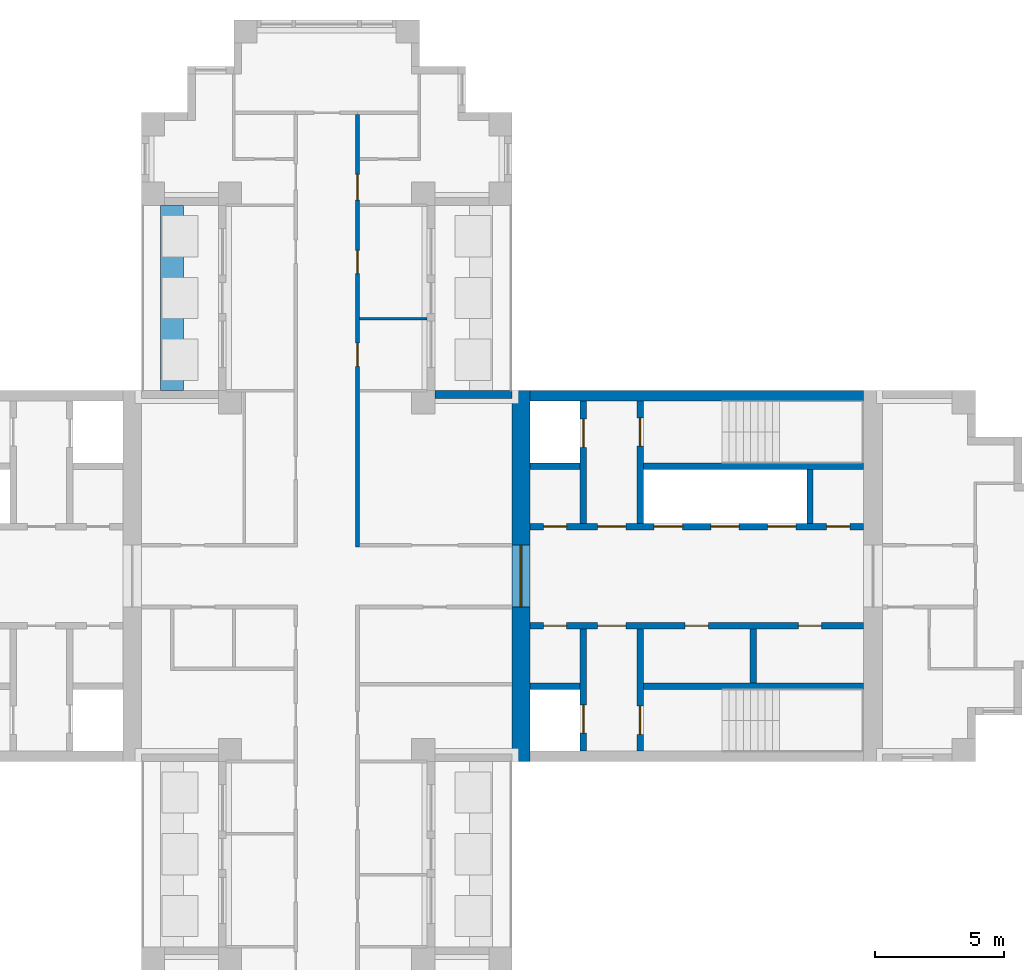
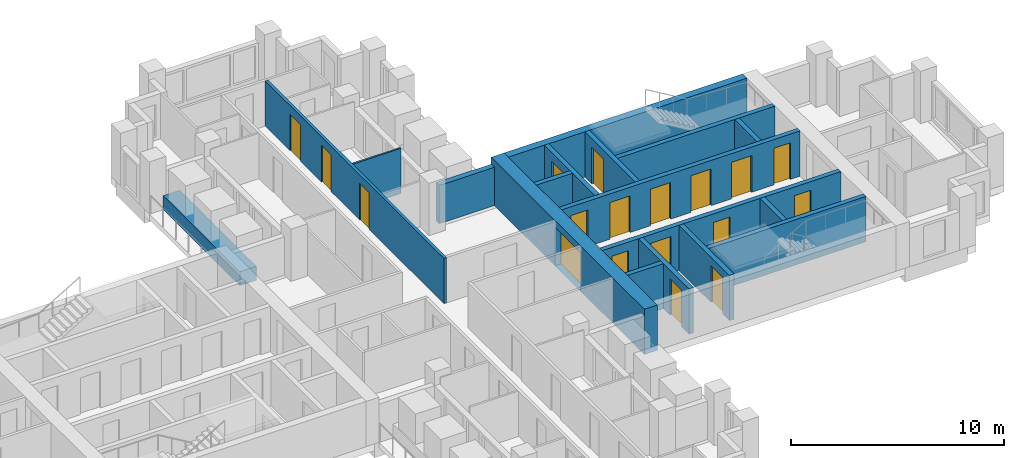
# One storey, part 6 of 11: 18 doors, 18 walls, 18 openings.
"""IFC4 building model written with IfcOpenShell, lengths in metres."""

from ifc_helpers import new_model, si_unit, direction, frame, frame_2d, origin, place, context, subcontext, project, spatial, rectangle, extrude, material, layer, layer_set, type_object, element, fill, save


model = new_model("IFC4")

# Units and contexts
model_context = context("Model", 3, precision=1e-05, world=origin(), true_north=direction((0.0, 1.0)))
body_context = subcontext(model_context, "Body", "Model", "MODEL_VIEW")
ifc_project = project(units=[si_unit("LENGTHUNIT", "METRE"), si_unit("AREAUNIT", "SQUARE_METRE"), si_unit("VOLUMEUNIT", "CUBIC_METRE"), si_unit("PLANEANGLEUNIT", "RADIAN"), si_unit("MASSUNIT", "GRAM", prefix="KILO")], contexts=[model_context])

# Site, building, storey
site_placement = place(None, origin())
site = spatial("IfcSite", under=ifc_project, at=site_placement, CompositionType="ELEMENT")
building_placement = place(site_placement, origin())
building = spatial("IfcBuilding", under=site, at=building_placement, Name="Fustian Cross Tower", CompositionType="ELEMENT")
storey_placement = place(building_placement, frame((0.0, 0.0, 176.699951171875)))
storey = spatial("IfcBuildingStorey", under=building, at=storey_placement, Name="L55", CompositionType="ELEMENT", Elevation=176.699951171875)

# Wall, openings, doors
ifc_material_1 = material(Name="Plasterboard on steel stud", Category="steel")
ifc_layer_1 = layer(ifc_material_1, 0.14990234375)
ifc_layer_set_1 = layer_set([ifc_layer_1], Name="Plasterboard on steel stud")
wall_type_1 = type_object("IfcWallType", Name="COMPARTMENT WALL 150 EI 60", PredefinedType="PARTITIONING", material=ifc_layer_set_1)
wall_1_placement = place(storey_placement, frame((1.199951171875, 1.125, 0.0), z_axis=(0.0, 0.0, 1.0), x_axis=(0.0, 1.0, 0.0)))
wall_1 = element("IfcWall", 1, at=wall_1_placement, inside=storey, type_object=wall_type_1, Name="Partition 41", PredefinedType="PARTITIONING", context=body_context, shape_type="SweptSolid", body=[
    extrude(rectangle(XDim=16.800048828125, YDim=0.14990234375, at=frame_2d((8.39990234375, 0.0))), origin(), (0.0, 0.0, 1.0), 2.60009765625),
])
opening_1_placement = place(wall_1_placement, frame((7.02490234375, 0.0, 0.0)))
opening_1 = element("IfcOpeningElement", 2, at=opening_1_placement, cuts=wall_1, Name="Opening D25017", PredefinedType="OPENING", context=body_context, shape_type="SweptSolid", body=[
    extrude(rectangle(XDim=0.89990234375, YDim=2.10009765625, at=frame_2d((0.449951171875, 1.050048828125))), frame((0.0, 0.0849609375, 0.0), z_axis=(0.0, -1.0, 0.0), x_axis=(1.0, 0.0, 0.0)), (0.0, 0.0, 1.0), 0.169921875),
])
opening_2_placement = place(wall_1_placement, frame((10.625, 0.0, 0.0)))
opening_2 = element("IfcOpeningElement", 3, at=opening_2_placement, cuts=wall_1, Name="Opening D25018", PredefinedType="OPENING", context=body_context, shape_type="SweptSolid", body=[
    extrude(rectangle(XDim=0.89990234375, YDim=2.10009765625, at=frame_2d((0.449951171875, 1.050048828125))), frame((0.0, 0.0849609375, 0.0), z_axis=(0.0, -1.0, 0.0), x_axis=(1.0, 0.0, 0.0)), (0.0, 0.0, 1.0), 0.169921875),
])
opening_3_placement = place(wall_1_placement, frame((13.47509765625, 0.0, 0.0)))
opening_3 = element("IfcOpeningElement", 4, at=opening_3_placement, cuts=wall_1, Name="Opening D25020", PredefinedType="OPENING", context=body_context, shape_type="SweptSolid", body=[
    extrude(rectangle(XDim=1.0, YDim=2.10009765625, at=frame_2d((0.5, 1.050048828125))), frame((0.0, 0.0849609375, 0.0), z_axis=(0.0, -1.0, 0.0), x_axis=(1.0, 0.0, 0.0)), (0.0, 0.0, 1.0), 0.169921875),
])
ifc_material_2 = material(Name="Timber fire door set", Category="wood")
door_type_1 = type_object("IfcDoorType", Name="FIRE SWING DOOR 1000 FD30S", OperationType="SINGLE_SWING_LEFT", PredefinedType="DOOR", material=ifc_material_2)
door_1_placement = place(opening_3_placement, frame((1.0, 0.0, 0.0), z_axis=(0.0, 0.0, 1.0), x_axis=(-1.0, 0.0, 0.0)))
door_1 = element("IfcDoor", 5, at=door_1_placement, inside=storey, type_object=door_type_1, Name="Door D25020", OperationType="SINGLE_SWING_RIGHT", OverallHeight=2.10009765625, OverallWidth=1.0, PredefinedType="DOOR", context=body_context, shape_type="SweptSolid", body=[
    extrude(rectangle(XDim=1.0, YDim=2.10009765625, at=frame_2d((0.5, 1.050048828125))), frame((0.0, 0.02490234375, 0.0), z_axis=(0.0, -1.0, 0.0), x_axis=(1.0, 0.0, 0.0)), (0.0, 0.0, 1.0), 0.050048828125),
])
fill(opening_3, door_1)
ifc_material_3 = material(Name="Timber fire door set", Category="wood")
door_type_2 = type_object("IfcDoorType", Name="FIRE SWING DOOR 900 FD30S", OperationType="SINGLE_SWING_LEFT", PredefinedType="DOOR", material=ifc_material_3)
door_2_placement = place(opening_1_placement, frame((0.89990234375, 0.0, 0.0), z_axis=(0.0, 0.0, 1.0), x_axis=(-1.0, 0.0, 0.0)))
door_2 = element("IfcDoor", 6, at=door_2_placement, inside=storey, type_object=door_type_2, Name="Door D25017", OperationType="SINGLE_SWING_RIGHT", OverallHeight=2.10009765625, OverallWidth=0.89990234375, PredefinedType="DOOR", context=body_context, shape_type="SweptSolid", body=[
    extrude(rectangle(XDim=0.89990234375, YDim=2.10009765625, at=frame_2d((0.449951171875, 1.050048828125))), frame((0.0, 0.02490234375, 0.0), z_axis=(0.0, -1.0, 0.0), x_axis=(1.0, 0.0, 0.0)), (0.0, 0.0, 1.0), 0.050048828125),
])
fill(opening_1, door_2)
door_3_placement = place(opening_2_placement, frame((0.89990234375, 0.0, 0.0), z_axis=(0.0, 0.0, 1.0), x_axis=(-1.0, 0.0, 0.0)))
door_3 = element("IfcDoor", 7, at=door_3_placement, inside=storey, type_object=door_type_2, Name="Door D25018", OperationType="SINGLE_SWING_RIGHT", OverallHeight=2.10009765625, OverallWidth=0.89990234375, PredefinedType="DOOR", context=body_context, shape_type="SweptSolid", body=[
    extrude(rectangle(XDim=0.89990234375, YDim=2.10009765625, at=frame_2d((0.449951171875, 1.050048828125))), frame((0.0, 0.02490234375, 0.0), z_axis=(0.0, -1.0, 0.0), x_axis=(1.0, 0.0, 0.0)), (0.0, 0.0, 1.0), 0.050048828125),
])
fill(opening_2, door_3)

# Wall, opening, door
ifc_material_4 = material(Name="Concrete C50/60", Category="concrete")
ifc_layer_2 = layer(ifc_material_4, 0.699951171875)
ifc_layer_set_2 = layer_set([ifc_layer_2], Name="Concrete C50/60")
wall_type_2 = type_object("IfcWallType", Name="CORE END WALL 700 C50/60", PredefinedType="SHEAR", material=ifc_layer_set_2)
wall_2_placement = place(storey_placement, frame((7.550048828125, -7.199951171875, 0.0), z_axis=(0.0, 0.0, 1.0), x_axis=(0.0, 1.0, 0.0)))
wall_2 = element("IfcWall", 8, at=wall_2_placement, inside=storey, type_object=wall_type_2, Name="Core end wall", PredefinedType="SHEAR", context=body_context, shape_type="SweptSolid", body=[
    extrude(rectangle(XDim=14.39990234375, YDim=0.699951171875, at=frame_2d((7.199951171875, 0.0))), origin(), (0.0, 0.0, 1.0), 2.60009765625),
])
opening_4_placement = place(wall_2_placement, frame((6.0, 0.0, 0.0)))
opening_4 = element("IfcOpeningElement", 9, at=opening_4_placement, cuts=wall_2, Name="Opening CD-22-12", PredefinedType="OPENING", context=body_context, shape_type="SweptSolid", body=[
    extrude(rectangle(XDim=2.39990234375, YDim=2.199951171875, at=frame_2d((1.199951171875, 1.10009765625))), frame((0.0, 0.35986328125, 0.0), z_axis=(0.0, -1.0, 0.0), x_axis=(1.0, 0.0, 0.0)), (0.0, 0.0, 1.0), 0.719970703125),
])
ifc_material_5 = material(Name="Steel", Category="steel")
door_type_3 = type_object("IfcDoorType", Name="FIRE DOOR FD30S DOUBLE 2400X2200", OperationType="DOUBLE_DOOR_DOUBLE_SWING", PredefinedType="DOOR", material=ifc_material_5)
door_4_placement = place(opening_4_placement, frame((2.39990234375, 0.0, 0.0), z_axis=(0.0, 0.0, 1.0), x_axis=(-1.0, 0.0, 0.0)))
door_4 = element("IfcDoor", 10, at=door_4_placement, inside=storey, type_object=door_type_3, Name="Core door CD-22-12", OperationType="DOUBLE_DOOR_DOUBLE_SWING", OverallHeight=2.199951171875, OverallWidth=2.39990234375, PredefinedType="DOOR", context=body_context, shape_type="SweptSolid", body=[
    extrude(rectangle(XDim=2.39990234375, YDim=2.199951171875, at=frame_2d((1.199951171875, 1.10009765625))), frame((0.0, 0.02490234375, 0.0), z_axis=(0.0, -1.0, 0.0), x_axis=(1.0, 0.0, 0.0)), (0.0, 0.0, 1.0), 0.050048828125),
])
fill(opening_4, door_4)

# Wall
ifc_material_6 = material(Name="Concrete C50/60", Category="concrete")
ifc_layer_3 = layer(ifc_material_6, 0.39990234375)
ifc_layer_set_3 = layer_set([ifc_layer_3], Name="Concrete C50/60")
wall_type_3 = type_object("IfcWallType", Name="CORE FACADE WALL 400 C50/60", PredefinedType="SHEAR", material=ifc_layer_set_3)
wall_3_placement = place(storey_placement, frame((7.89990234375, 7.0, 0.0), z_axis=(0.0, 0.0, 1.0), x_axis=(1.0, 0.0, 0.0)))
element("IfcWall", 11, at=wall_3_placement, inside=storey, type_object=wall_type_3, Name="Core facade wall", PredefinedType="SHEAR", context=body_context, shape_type="SweptSolid", body=[
    extrude(rectangle(XDim=12.9501953125, YDim=0.39990234375, at=frame_2d((6.47509765625, 0.0))), origin(), (0.0, 0.0, 1.0), 2.60009765625),
])

# Wall, openings, doors
ifc_material_7 = material(Name="Concrete C50/60", Category="concrete")
ifc_layer_4 = layer(ifc_material_7, 0.25)
ifc_layer_set_4 = layer_set([ifc_layer_4], Name="Concrete C50/60")
wall_type_4 = type_object("IfcWallType", Name="CORE LOBBY WALL 250 C50/60", PredefinedType="SHEAR", material=ifc_layer_set_4)
wall_4_placement = place(storey_placement, frame((7.89990234375, 1.925048828125, 0.0), z_axis=(0.0, 0.0, 1.0), x_axis=(1.0, 0.0, 0.0)))
wall_4 = element("IfcWall", 12, at=wall_4_placement, inside=storey, type_object=wall_type_4, Name="Core lobby wall", PredefinedType="SHEAR", context=body_context, shape_type="SweptSolid", body=[
    extrude(rectangle(XDim=12.9501953125, YDim=0.25, at=frame_2d((6.47509765625, 0.0))), origin(), (0.0, 0.0, 1.0), 2.60009765625),
])
opening_5_placement = place(wall_4_placement, frame((4.824951171875, 0.0, 0.0)))
opening_5 = element("IfcOpeningElement", 13, at=opening_5_placement, cuts=wall_4, Name="Opening LD", PredefinedType="OPENING", context=body_context, shape_type="SweptSolid", body=[
    extrude(rectangle(XDim=1.10009765625, YDim=2.10009765625, at=frame_2d((0.550048828125, 1.050048828125))), frame((0.0, 0.135009765625, 0.0), z_axis=(0.0, -1.0, 0.0), x_axis=(1.0, 0.0, 0.0)), (0.0, 0.0, 1.0), 0.27001953125),
])
opening_6_placement = place(wall_4_placement, frame((7.02490234375, 0.0, 0.0)))
opening_6 = element("IfcOpeningElement", 14, at=opening_6_placement, cuts=wall_4, Name="Opening LD", PredefinedType="OPENING", context=body_context, shape_type="SweptSolid", body=[
    extrude(rectangle(XDim=1.10009765625, YDim=2.10009765625, at=frame_2d((0.550048828125, 1.050048828125))), frame((0.0, 0.135009765625, 0.0), z_axis=(0.0, -1.0, 0.0), x_axis=(1.0, 0.0, 0.0)), (0.0, 0.0, 1.0), 0.27001953125),
])
opening_7_placement = place(wall_4_placement, frame((9.22509765625, 0.0, 0.0)))
opening_7 = element("IfcOpeningElement", 15, at=opening_7_placement, cuts=wall_4, Name="Opening LD", PredefinedType="OPENING", context=body_context, shape_type="SweptSolid", body=[
    extrude(rectangle(XDim=1.10009765625, YDim=2.10009765625, at=frame_2d((0.550048828125, 1.050048828125))), frame((0.0, 0.135009765625, 0.0), z_axis=(0.0, -1.0, 0.0), x_axis=(1.0, 0.0, 0.0)), (0.0, 0.0, 1.0), 0.27001953125),
])
opening_8_placement = place(wall_4_placement, frame((0.52490234375, 0.0, 0.0)))
opening_8 = element("IfcOpeningElement", 16, at=opening_8_placement, cuts=wall_4, Name="Opening CD-22-08", PredefinedType="OPENING", context=body_context, shape_type="SweptSolid", body=[
    extrude(rectangle(XDim=0.89990234375, YDim=2.10009765625, at=frame_2d((0.449951171875, 1.050048828125))), frame((0.0, 0.135009765625, 0.0), z_axis=(0.0, -1.0, 0.0), x_axis=(1.0, 0.0, 0.0)), (0.0, 0.0, 1.0), 0.27001953125),
])
opening_9_placement = place(wall_4_placement, frame((2.625, 0.0, 0.0)))
opening_9 = element("IfcOpeningElement", 17, at=opening_9_placement, cuts=wall_4, Name="Opening CD-22-10", PredefinedType="OPENING", context=body_context, shape_type="SweptSolid", body=[
    extrude(rectangle(XDim=1.10009765625, YDim=2.10009765625, at=frame_2d((0.550048828125, 1.050048828125))), frame((0.0, 0.135009765625, 0.0), z_axis=(0.0, -1.0, 0.0), x_axis=(1.0, 0.0, 0.0)), (0.0, 0.0, 1.0), 0.27001953125),
])
opening_10_placement = place(wall_4_placement, frame((11.52490234375, 0.0, 0.0)))
opening_10 = element("IfcOpeningElement", 18, at=opening_10_placement, cuts=wall_4, Name="Opening CD-22-14", PredefinedType="OPENING", context=body_context, shape_type="SweptSolid", body=[
    extrude(rectangle(XDim=0.89990234375, YDim=2.10009765625, at=frame_2d((0.449951171875, 1.050048828125))), frame((0.0, 0.135009765625, 0.0), z_axis=(0.0, -1.0, 0.0), x_axis=(1.0, 0.0, 0.0)), (0.0, 0.0, 1.0), 0.27001953125),
])
ifc_material_8 = material(Name="Steel", Category="steel")
door_type_4 = type_object("IfcDoorType", Name="FIRE DOOR FD30S 900X2100", OperationType="SINGLE_SWING_LEFT", PredefinedType="DOOR", material=ifc_material_8)
door_5_placement = place(opening_10_placement, origin())
door_5 = element("IfcDoor", 19, at=door_5_placement, inside=storey, type_object=door_type_4, Name="Core door CD-22-14", OperationType="SINGLE_SWING_LEFT", OverallHeight=2.10009765625, OverallWidth=0.89990234375, PredefinedType="DOOR", context=body_context, shape_type="SweptSolid", body=[
    extrude(rectangle(XDim=0.89990234375, YDim=2.10009765625, at=frame_2d((0.449951171875, 1.050048828125))), frame((0.0, 0.02490234375, 0.0), z_axis=(0.0, -1.0, 0.0), x_axis=(1.0, 0.0, 0.0)), (0.0, 0.0, 1.0), 0.050048828125),
])
fill(opening_10, door_5)
ifc_material_9 = material(Name="Steel", Category="steel")
door_type_5 = type_object("IfcDoorType", Name="FIRE DOOR FD60S 1100X2100", OperationType="SINGLE_SWING_LEFT", PredefinedType="DOOR", material=ifc_material_9)
door_6_placement = place(opening_9_placement, frame((1.10009765625, 0.0, 0.0), z_axis=(0.0, 0.0, 1.0), x_axis=(-1.0, 0.0, 0.0)))
door_6 = element("IfcDoor", 20, at=door_6_placement, inside=storey, type_object=door_type_5, Name="Core door CD-22-10", OperationType="SINGLE_SWING_RIGHT", OverallHeight=2.10009765625, OverallWidth=1.10009765625, PredefinedType="DOOR", context=body_context, shape_type="SweptSolid", body=[
    extrude(rectangle(XDim=1.10009765625, YDim=2.10009765625, at=frame_2d((0.550048828125, 1.050048828125))), frame((0.0, 0.02490234375, 0.0), z_axis=(0.0, -1.0, 0.0), x_axis=(1.0, 0.0, 0.0)), (0.0, 0.0, 1.0), 0.050048828125),
])
fill(opening_9, door_6)
ifc_material_10 = material(Name="Steel", Category="steel")
door_type_6 = type_object("IfcDoorType", Name="FIRE DOOR FD60S 900X2100", OperationType="SINGLE_SWING_LEFT", PredefinedType="DOOR", material=ifc_material_10)
door_7_placement = place(opening_8_placement, origin())
door_7 = element("IfcDoor", 21, at=door_7_placement, inside=storey, type_object=door_type_6, Name="Core door CD-22-08", OperationType="SINGLE_SWING_LEFT", OverallHeight=2.10009765625, OverallWidth=0.89990234375, PredefinedType="DOOR", context=body_context, shape_type="SweptSolid", body=[
    extrude(rectangle(XDim=0.89990234375, YDim=2.10009765625, at=frame_2d((0.449951171875, 1.050048828125))), frame((0.0, 0.02490234375, 0.0), z_axis=(0.0, -1.0, 0.0), x_axis=(1.0, 0.0, 0.0)), (0.0, 0.0, 1.0), 0.050048828125),
])
fill(opening_8, door_7)
ifc_material_11 = material(Name="Stainless steel", Category="steel")
door_type_7 = type_object("IfcDoorType", Name="LIFT LANDING DOOR 1100X2100", OperationType="SLIDING_TO_LEFT", PredefinedType="DOOR", material=ifc_material_11)
door_8_placement = place(opening_5_placement, origin())
door_8 = element("IfcDoor", 22, at=door_8_placement, inside=storey, type_object=door_type_7, Name="Landing door HR1", OperationType="SLIDING_TO_LEFT", OverallHeight=2.10009765625, OverallWidth=1.10009765625, PredefinedType="DOOR", context=body_context, shape_type="SweptSolid", body=[
    extrude(rectangle(XDim=1.10009765625, YDim=2.10009765625, at=frame_2d((0.550048828125, 1.050048828125))), frame((0.0, 0.02490234375, 0.0), z_axis=(0.0, -1.0, 0.0), x_axis=(1.0, 0.0, 0.0)), (0.0, 0.0, 1.0), 0.050048828125),
])
fill(opening_5, door_8)
door_9_placement = place(opening_6_placement, origin())
door_9 = element("IfcDoor", 23, at=door_9_placement, inside=storey, type_object=door_type_7, Name="Landing door HR2", OperationType="SLIDING_TO_LEFT", OverallHeight=2.10009765625, OverallWidth=1.10009765625, PredefinedType="DOOR", context=body_context, shape_type="SweptSolid", body=[
    extrude(rectangle(XDim=1.10009765625, YDim=2.10009765625, at=frame_2d((0.550048828125, 1.050048828125))), frame((0.0, 0.02490234375, 0.0), z_axis=(0.0, -1.0, 0.0), x_axis=(1.0, 0.0, 0.0)), (0.0, 0.0, 1.0), 0.050048828125),
])
fill(opening_6, door_9)
door_10_placement = place(opening_7_placement, origin())
door_10 = element("IfcDoor", 24, at=door_10_placement, inside=storey, type_object=door_type_7, Name="Landing door HR3", OperationType="SLIDING_TO_LEFT", OverallHeight=2.10009765625, OverallWidth=1.10009765625, PredefinedType="DOOR", context=body_context, shape_type="SweptSolid", body=[
    extrude(rectangle(XDim=1.10009765625, YDim=2.10009765625, at=frame_2d((0.550048828125, 1.050048828125))), frame((0.0, 0.02490234375, 0.0), z_axis=(0.0, -1.0, 0.0), x_axis=(1.0, 0.0, 0.0)), (0.0, 0.0, 1.0), 0.050048828125),
])
fill(opening_7, door_10)

wall_5_placement = place(storey_placement, frame((7.89990234375, -1.925048828125, 0.0), z_axis=(0.0, 0.0, 1.0), x_axis=(1.0, 0.0, 0.0)))
wall_5 = element("IfcWall", 25, at=wall_5_placement, inside=storey, type_object=wall_type_4, Name="Core lobby wall", PredefinedType="SHEAR", context=body_context, shape_type="SweptSolid", body=[
    extrude(rectangle(XDim=12.9501953125, YDim=0.25, at=frame_2d((6.47509765625, 0.0))), origin(), (0.0, 0.0, 1.0), 2.60009765625),
])
opening_11_placement = place(wall_5_placement, frame((0.52490234375, 0.0, 0.0)))
opening_11 = element("IfcOpeningElement", 26, at=opening_11_placement, cuts=wall_5, Name="Opening CD-22-09", PredefinedType="OPENING", context=body_context, shape_type="SweptSolid", body=[
    extrude(rectangle(XDim=0.89990234375, YDim=2.10009765625, at=frame_2d((0.449951171875, 1.050048828125))), frame((0.0, 0.135009765625, 0.0), z_axis=(0.0, -1.0, 0.0), x_axis=(1.0, 0.0, 0.0)), (0.0, 0.0, 1.0), 0.27001953125),
])
opening_12_placement = place(wall_5_placement, frame((2.625, 0.0, 0.0)))
opening_12 = element("IfcOpeningElement", 27, at=opening_12_placement, cuts=wall_5, Name="Opening CD-22-11", PredefinedType="OPENING", context=body_context, shape_type="SweptSolid", body=[
    extrude(rectangle(XDim=1.10009765625, YDim=2.10009765625, at=frame_2d((0.550048828125, 1.050048828125))), frame((0.0, 0.135009765625, 0.0), z_axis=(0.0, -1.0, 0.0), x_axis=(1.0, 0.0, 0.0)), (0.0, 0.0, 1.0), 0.27001953125),
])
opening_13_placement = place(wall_5_placement, frame((6.02490234375, 0.0, 0.0)))
opening_13 = element("IfcOpeningElement", 28, at=opening_13_placement, cuts=wall_5, Name="Opening CD-22-15", PredefinedType="OPENING", context=body_context, shape_type="SweptSolid", body=[
    extrude(rectangle(XDim=0.89990234375, YDim=2.10009765625, at=frame_2d((0.449951171875, 1.050048828125))), frame((0.0, 0.135009765625, 0.0), z_axis=(0.0, -1.0, 0.0), x_axis=(1.0, 0.0, 0.0)), (0.0, 0.0, 1.0), 0.27001953125),
])
opening_14_placement = place(wall_5_placement, frame((10.425048828125, 0.0, 0.0)))
opening_14 = element("IfcOpeningElement", 29, at=opening_14_placement, cuts=wall_5, Name="Opening CD-22-16", PredefinedType="OPENING", context=body_context, shape_type="SweptSolid", body=[
    extrude(rectangle(XDim=0.89990234375, YDim=2.10009765625, at=frame_2d((0.449951171875, 1.050048828125))), frame((0.0, 0.135009765625, 0.0), z_axis=(0.0, -1.0, 0.0), x_axis=(1.0, 0.0, 0.0)), (0.0, 0.0, 1.0), 0.27001953125),
])
ifc_material_12 = material(Name="Steel", Category="steel")
door_type_8 = type_object("IfcDoorType", Name="FIRE DOOR FD30S 1100X2100", OperationType="SINGLE_SWING_LEFT", PredefinedType="DOOR", material=ifc_material_12)
door_11_placement = place(opening_12_placement, frame((1.10009765625, 0.0, 0.0), z_axis=(0.0, 0.0, 1.0), x_axis=(-1.0, 0.0, 0.0)))
door_11 = element("IfcDoor", 30, at=door_11_placement, inside=storey, type_object=door_type_8, Name="Core door CD-22-11", OperationType="SINGLE_SWING_RIGHT", OverallHeight=2.10009765625, OverallWidth=1.10009765625, PredefinedType="DOOR", context=body_context, shape_type="SweptSolid", body=[
    extrude(rectangle(XDim=1.10009765625, YDim=2.10009765625, at=frame_2d((0.550048828125, 1.050048828125))), frame((0.0, 0.02490234375, 0.0), z_axis=(0.0, -1.0, 0.0), x_axis=(1.0, 0.0, 0.0)), (0.0, 0.0, 1.0), 0.050048828125),
])
fill(opening_12, door_11)
door_12_placement = place(opening_11_placement, frame((0.89990234375, 0.0, 0.0), z_axis=(0.0, 0.0, 1.0), x_axis=(-1.0, 0.0, 0.0)))
door_12 = element("IfcDoor", 31, at=door_12_placement, inside=storey, type_object=door_type_4, Name="Core door CD-22-09", OperationType="SINGLE_SWING_RIGHT", OverallHeight=2.10009765625, OverallWidth=0.89990234375, PredefinedType="DOOR", context=body_context, shape_type="SweptSolid", body=[
    extrude(rectangle(XDim=0.89990234375, YDim=2.10009765625, at=frame_2d((0.449951171875, 1.050048828125))), frame((0.0, 0.02490234375, 0.0), z_axis=(0.0, -1.0, 0.0), x_axis=(1.0, 0.0, 0.0)), (0.0, 0.0, 1.0), 0.050048828125),
])
fill(opening_11, door_12)
door_13_placement = place(opening_13_placement, frame((0.89990234375, 0.0, 0.0), z_axis=(0.0, 0.0, 1.0), x_axis=(-1.0, 0.0, 0.0)))
door_13 = element("IfcDoor", 32, at=door_13_placement, inside=storey, type_object=door_type_4, Name="Core door CD-22-15", OperationType="SINGLE_SWING_LEFT", OverallHeight=2.10009765625, OverallWidth=0.89990234375, PredefinedType="DOOR", context=body_context, shape_type="SweptSolid", body=[
    extrude(rectangle(XDim=0.89990234375, YDim=2.10009765625, at=frame_2d((0.449951171875, 1.050048828125))), frame((0.0, 0.02490234375, 0.0), z_axis=(0.0, -1.0, 0.0), x_axis=(1.0, 0.0, 0.0)), (0.0, 0.0, 1.0), 0.050048828125),
])
fill(opening_13, door_13)
door_14_placement = place(opening_14_placement, frame((0.89990234375, 0.0, 0.0), z_axis=(0.0, 0.0, 1.0), x_axis=(-1.0, 0.0, 0.0)))
door_14 = element("IfcDoor", 33, at=door_14_placement, inside=storey, type_object=door_type_4, Name="Core door CD-22-16", OperationType="SINGLE_SWING_LEFT", OverallHeight=2.10009765625, OverallWidth=0.89990234375, PredefinedType="DOOR", context=body_context, shape_type="SweptSolid", body=[
    extrude(rectangle(XDim=0.89990234375, YDim=2.10009765625, at=frame_2d((0.449951171875, 1.050048828125))), frame((0.0, 0.02490234375, 0.0), z_axis=(0.0, -1.0, 0.0), x_axis=(1.0, 0.0, 0.0)), (0.0, 0.0, 1.0), 0.050048828125),
])
fill(opening_14, door_14)

# Walls
ifc_material_13 = material(Name="Concrete C50/60", Category="concrete")
ifc_layer_5 = layer(ifc_material_13, 0.25)
ifc_layer_set_5 = layer_set([ifc_layer_5], Name="Concrete C50/60")
wall_type_5 = type_object("IfcWallType", Name="CORE SHAFT WALL 250 C50/60", PredefinedType="SHEAR", material=ifc_layer_set_5)
wall_6_placement = place(storey_placement, frame((7.89990234375, 4.27490234375, 0.0), z_axis=(0.0, 0.0, 1.0), x_axis=(1.0, 0.0, 0.0)))
element("IfcWall", 34, at=wall_6_placement, inside=storey, type_object=wall_type_5, Name="Core shaft wall", PredefinedType="SHEAR", context=body_context, shape_type="SweptSolid", body=[
    extrude(rectangle(XDim=1.9501953125, YDim=0.25, at=frame_2d((0.97509765625, 0.0))), origin(), (0.0, 0.0, 1.0), 2.60009765625),
])
wall_7_placement = place(storey_placement, frame((12.300048828125, 4.27490234375, 0.0), z_axis=(0.0, 0.0, 1.0), x_axis=(1.0, 0.0, 0.0)))
element("IfcWall", 35, at=wall_7_placement, inside=storey, type_object=wall_type_5, Name="Core shaft wall", PredefinedType="SHEAR", context=body_context, shape_type="SweptSolid", body=[
    extrude(rectangle(XDim=8.550048828125, YDim=0.25, at=frame_2d((4.27490234375, 0.0))), origin(), (0.0, 0.0, 1.0), 2.60009765625),
])

# Wall, opening, door
wall_8_placement = place(storey_placement, frame((9.97509765625, 2.050048828125, 0.0), z_axis=(0.0, 0.0, 1.0), x_axis=(0.0, 1.0, 0.0)))
wall_8 = element("IfcWall", 36, at=wall_8_placement, inside=storey, type_object=wall_type_5, Name="Core shaft wall", PredefinedType="SHEAR", context=body_context, shape_type="SweptSolid", body=[
    extrude(rectangle(XDim=4.75, YDim=0.25, at=frame_2d((2.375, 0.0))), origin(), (0.0, 0.0, 1.0), 2.60009765625),
])
opening_15_placement = place(wall_8_placement, frame((2.949951171875, 0.0, 0.0)))
opening_15 = element("IfcOpeningElement", 37, at=opening_15_placement, cuts=wall_8, Name="Opening LD", PredefinedType="OPENING", context=body_context, shape_type="SweptSolid", body=[
    extrude(rectangle(XDim=1.10009765625, YDim=2.10009765625, at=frame_2d((0.550048828125, 1.050048828125))), frame((0.0, 0.135009765625, 0.0), z_axis=(0.0, -1.0, 0.0), x_axis=(1.0, 0.0, 0.0)), (0.0, 0.0, 1.0), 0.27001953125),
])
door_15_placement = place(opening_15_placement, origin())
door_15 = element("IfcDoor", 38, at=door_15_placement, inside=storey, type_object=door_type_7, Name="Landing door FL1", OperationType="SLIDING_TO_LEFT", OverallHeight=2.10009765625, OverallWidth=1.10009765625, PredefinedType="DOOR", context=body_context, shape_type="SweptSolid", body=[
    extrude(rectangle(XDim=1.10009765625, YDim=2.10009765625, at=frame_2d((0.550048828125, 1.050048828125))), frame((0.0, 0.02490234375, 0.0), z_axis=(0.0, -1.0, 0.0), x_axis=(1.0, 0.0, 0.0)), (0.0, 0.0, 1.0), 0.050048828125),
])
fill(opening_15, door_15)

wall_9_placement = place(storey_placement, frame((12.175048828125, 2.050048828125, 0.0), z_axis=(0.0, 0.0, 1.0), x_axis=(0.0, 1.0, 0.0)))
wall_9 = element("IfcWall", 39, at=wall_9_placement, inside=storey, type_object=wall_type_5, Name="Core shaft wall", PredefinedType="SHEAR", context=body_context, shape_type="SweptSolid", body=[
    extrude(rectangle(XDim=4.75, YDim=0.25, at=frame_2d((2.375, 0.0))), origin(), (0.0, 0.0, 1.0), 2.60009765625),
])
opening_16_placement = place(wall_9_placement, frame((3.0, 0.0, 0.0)))
opening_16 = element("IfcOpeningElement", 40, at=opening_16_placement, cuts=wall_9, Name="Opening CD-22-06", PredefinedType="OPENING", context=body_context, shape_type="SweptSolid", body=[
    extrude(rectangle(XDim=1.10009765625, YDim=2.10009765625, at=frame_2d((0.550048828125, 1.050048828125))), frame((0.0, 0.135009765625, 0.0), z_axis=(0.0, -1.0, 0.0), x_axis=(1.0, 0.0, 0.0)), (0.0, 0.0, 1.0), 0.27001953125),
])
door_16_placement = place(opening_16_placement, frame((1.10009765625, 0.0, 0.0), z_axis=(0.0, 0.0, 1.0), x_axis=(-1.0, 0.0, 0.0)))
door_16 = element("IfcDoor", 41, at=door_16_placement, inside=storey, type_object=door_type_5, Name="Core door CD-22-06", OperationType="SINGLE_SWING_RIGHT", OverallHeight=2.10009765625, OverallWidth=1.10009765625, PredefinedType="DOOR", context=body_context, shape_type="SweptSolid", body=[
    extrude(rectangle(XDim=1.10009765625, YDim=2.10009765625, at=frame_2d((0.550048828125, 1.050048828125))), frame((0.0, 0.02490234375, 0.0), z_axis=(0.0, -1.0, 0.0), x_axis=(1.0, 0.0, 0.0)), (0.0, 0.0, 1.0), 0.050048828125),
])
fill(opening_16, door_16)

# Walls
wall_10_placement = place(storey_placement, frame((7.89990234375, -4.27490234375, 0.0), z_axis=(0.0, 0.0, 1.0), x_axis=(1.0, 0.0, 0.0)))
element("IfcWall", 42, at=wall_10_placement, inside=storey, type_object=wall_type_5, Name="Core shaft wall", PredefinedType="SHEAR", context=body_context, shape_type="SweptSolid", body=[
    extrude(rectangle(XDim=1.9501953125, YDim=0.25, at=frame_2d((0.97509765625, 0.0))), origin(), (0.0, 0.0, 1.0), 2.60009765625),
])
wall_11_placement = place(storey_placement, frame((12.300048828125, -4.27490234375, 0.0), z_axis=(0.0, 0.0, 1.0), x_axis=(1.0, 0.0, 0.0)))
element("IfcWall", 43, at=wall_11_placement, inside=storey, type_object=wall_type_5, Name="Core shaft wall", PredefinedType="SHEAR", context=body_context, shape_type="SweptSolid", body=[
    extrude(rectangle(XDim=8.550048828125, YDim=0.25, at=frame_2d((4.27490234375, 0.0))), origin(), (0.0, 0.0, 1.0), 2.60009765625),
])

# Wall, opening, door
wall_12_placement = place(storey_placement, frame((9.97509765625, -2.050048828125, 0.0), z_axis=(0.0, 0.0, 1.0), x_axis=(0.0, -1.0, 0.0)))
wall_12 = element("IfcWall", 44, at=wall_12_placement, inside=storey, type_object=wall_type_5, Name="Core shaft wall", PredefinedType="SHEAR", context=body_context, shape_type="SweptSolid", body=[
    extrude(rectangle(XDim=4.75, YDim=0.25, at=frame_2d((2.375, 0.0))), origin(), (0.0, 0.0, 1.0), 2.60009765625),
])
opening_17_placement = place(wall_12_placement, frame((2.949951171875, 0.0, 0.0)))
opening_17 = element("IfcOpeningElement", 45, at=opening_17_placement, cuts=wall_12, Name="Opening LD", PredefinedType="OPENING", context=body_context, shape_type="SweptSolid", body=[
    extrude(rectangle(XDim=1.10009765625, YDim=2.10009765625, at=frame_2d((0.550048828125, 1.050048828125))), frame((0.0, 0.135009765625, 0.0), z_axis=(0.0, -1.0, 0.0), x_axis=(1.0, 0.0, 0.0)), (0.0, 0.0, 1.0), 0.27001953125),
])
door_17_placement = place(opening_17_placement, origin())
door_17 = element("IfcDoor", 46, at=door_17_placement, inside=storey, type_object=door_type_7, Name="Landing door SV1", OperationType="SLIDING_TO_LEFT", OverallHeight=2.10009765625, OverallWidth=1.10009765625, PredefinedType="DOOR", context=body_context, shape_type="SweptSolid", body=[
    extrude(rectangle(XDim=1.10009765625, YDim=2.10009765625, at=frame_2d((0.550048828125, 1.050048828125))), frame((0.0, 0.02490234375, 0.0), z_axis=(0.0, -1.0, 0.0), x_axis=(1.0, 0.0, 0.0)), (0.0, 0.0, 1.0), 0.050048828125),
])
fill(opening_17, door_17)

wall_13_placement = place(storey_placement, frame((12.175048828125, -2.050048828125, 0.0), z_axis=(0.0, 0.0, 1.0), x_axis=(0.0, -1.0, 0.0)))
wall_13 = element("IfcWall", 47, at=wall_13_placement, inside=storey, type_object=wall_type_5, Name="Core shaft wall", PredefinedType="SHEAR", context=body_context, shape_type="SweptSolid", body=[
    extrude(rectangle(XDim=4.75, YDim=0.25, at=frame_2d((2.375, 0.0))), origin(), (0.0, 0.0, 1.0), 2.60009765625),
])
opening_18_placement = place(wall_13_placement, frame((3.0, 0.0, 0.0)))
opening_18 = element("IfcOpeningElement", 48, at=opening_18_placement, cuts=wall_13, Name="Opening CD-22-07", PredefinedType="OPENING", context=body_context, shape_type="SweptSolid", body=[
    extrude(rectangle(XDim=1.10009765625, YDim=2.10009765625, at=frame_2d((0.550048828125, 1.050048828125))), frame((0.0, 0.135009765625, 0.0), z_axis=(0.0, -1.0, 0.0), x_axis=(1.0, 0.0, 0.0)), (0.0, 0.0, 1.0), 0.27001953125),
])
door_18_placement = place(opening_18_placement, origin())
door_18 = element("IfcDoor", 49, at=door_18_placement, inside=storey, type_object=door_type_5, Name="Core door CD-22-07", OperationType="SINGLE_SWING_LEFT", OverallHeight=2.10009765625, OverallWidth=1.10009765625, PredefinedType="DOOR", context=body_context, shape_type="SweptSolid", body=[
    extrude(rectangle(XDim=1.10009765625, YDim=2.10009765625, at=frame_2d((0.550048828125, 1.050048828125))), frame((0.0, 0.02490234375, 0.0), z_axis=(0.0, -1.0, 0.0), x_axis=(1.0, 0.0, 0.0)), (0.0, 0.0, 1.0), 0.050048828125),
])
fill(opening_18, door_18)

# Walls
ifc_material_14 = material(Name="Plasterboard on steel stud", Category="steel")
ifc_layer_6 = layer(ifc_material_14, 0.10009765625)
ifc_layer_set_6 = layer_set([ifc_layer_6], Name="Plasterboard on steel stud")
wall_type_6 = type_object("IfcWallType", Name="PARTITION 100 STUD", PredefinedType="PARTITIONING", material=ifc_layer_set_6)
wall_14_placement = place(storey_placement, frame((1.27490234375, 10.0, 0.0), z_axis=(0.0, 0.0, 1.0), x_axis=(1.0, 0.0, 0.0)))
element("IfcWall", 50, at=wall_14_placement, inside=storey, type_object=wall_type_6, Name="Partition 44", PredefinedType="PARTITIONING", context=body_context, shape_type="SweptSolid", body=[
    extrude(rectangle(XDim=2.625, YDim=0.10009765625, at=frame_2d((1.3125, 0.0))), origin(), (0.0, 0.0, 1.0), 2.60009765625),
])
ifc_material_15 = material(Name="Concrete C40/50", Category="concrete")
ifc_layer_7 = layer(ifc_material_15, 0.89990234375)
ifc_layer_set_7 = layer_set([ifc_layer_7], Name="Concrete C40/50")
wall_type_7 = type_object("IfcWallType", Name="PK1 PLANTER 900", PredefinedType="PARAPET", material=ifc_layer_set_7)
wall_15_placement = place(storey_placement, frame((-6.0, 7.199951171875, 0.0), z_axis=(0.0, 0.0, 1.0), x_axis=(0.0, 1.0, 0.0)))
element("IfcWall", 51, at=wall_15_placement, inside=storey, type_object=wall_type_7, Name="PLANTER", PredefinedType="PARAPET", context=body_context, shape_type="SweptSolid", body=[
    extrude(rectangle(XDim=7.199951171875, YDim=0.89990234375, at=frame_2d((3.60009765625, 0.0))), origin(), (0.0, 0.0, 1.0), 0.800048828125),
])
ifc_material_16 = material(Name="Concrete C40/50", Category="concrete")
ifc_layer_8 = layer(ifc_material_16, 0.25)
ifc_layer_set_8 = layer_set([ifc_layer_8], Name="Concrete C40/50")
wall_type_8 = type_object("IfcWallType", Name="SHAFT PARTITION WALL 250 C40/50", PredefinedType="PARTITIONING", material=ifc_layer_set_8)
for number, where, z_axis, x_axis, name in (
    (52, (18.77490234375, 2.050048828125, 0.0), (0.0, 0.0, 1.0), (0.0, 1.0, 0.0), "Core shaft wall"),
    (53, (16.574951171875, -2.050048828125, 0.0), (0.0, 0.0, 1.0), (0.0, -1.0, 0.0), "Core shaft wall"),
):
    element("IfcWall", number, at=place(storey_placement, frame(where, z_axis=z_axis, x_axis=x_axis)), inside=storey, type_object=wall_type_8, Name=name, PredefinedType="PARTITIONING", context=body_context, shape_type="SweptSolid", body=[
        extrude(rectangle(XDim=2.099853515625, YDim=0.25, at=frame_2d((1.0498046875, 0.0))), origin(), (0.0, 0.0, 1.0), 2.60009765625),
    ])
ifc_material_17 = material(Name="Dark aluminium cladding on insulated backing wall", Category="aluminium")
ifc_layer_9 = layer(ifc_material_17, 0.300048828125)
ifc_layer_set_9 = layer_set([ifc_layer_9], Name="Dark aluminium cladding on insulated backing wall")
wall_type_9 = type_object("IfcWallType", Name="XW1 EXTERNAL WALL 300", PredefinedType="SOLIDWALL", material=ifc_layer_set_9)
wall_16_placement = place(storey_placement, frame((7.199951171875, 7.050048828125, 0.0), z_axis=(0.0, 0.0, 1.0), x_axis=(-1.0, 0.0, 0.0)))
element("IfcWall", 54, at=wall_16_placement, inside=storey, type_object=wall_type_9, Name="External wall", PredefinedType="SOLIDWALL", context=body_context, shape_type="SweptSolid", body=[
    extrude(rectangle(XDim=3.0, YDim=0.300048828125, at=frame_2d((1.5, 0.0))), origin(), (0.0, 0.0, 1.0), 2.199951171875),
])

save(model, "model.ifc")
